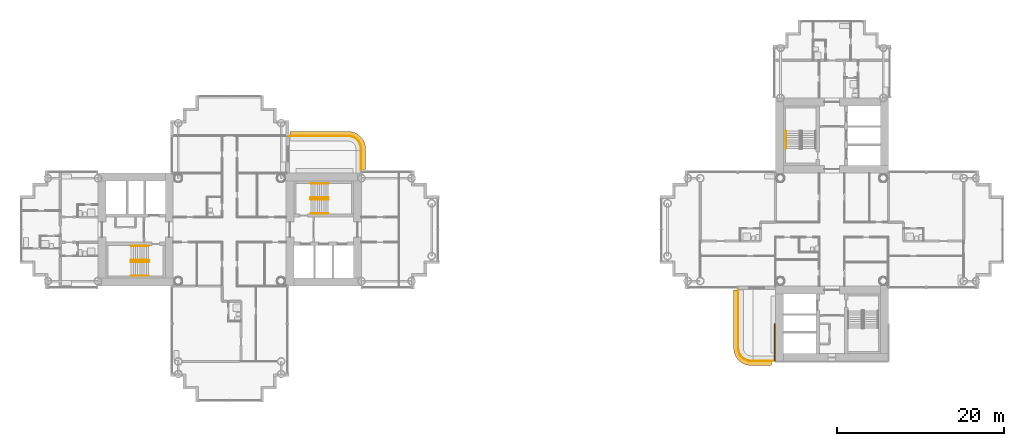
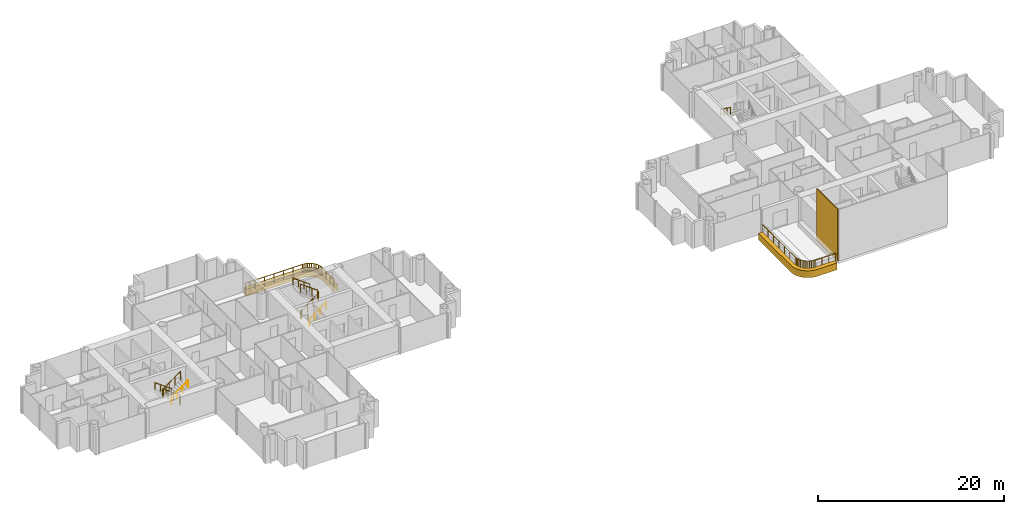
# One storey, part 19 of 21: 9 railings, 3 coverings.
"""IFC4 building model written with IfcOpenShell, lengths in metres."""

from ifc_helpers import new_model, si_unit, direction, frame, origin, origin_2d, place, context, subcontext, project, spatial, polyline, rectangle, circle, outline, extrude, material, layer, layer_set, type_object, element, save


model = new_model("IFC4")

# Units and contexts
model_context = context("Model", 3, precision=1e-05, world=origin(), true_north=direction((0.0, 1.0)))
body_context = subcontext(model_context, "Body", "Model", "MODEL_VIEW")
ifc_project = project(units=[si_unit("LENGTHUNIT", "METRE"), si_unit("AREAUNIT", "SQUARE_METRE"), si_unit("VOLUMEUNIT", "CUBIC_METRE"), si_unit("PLANEANGLEUNIT", "RADIAN"), si_unit("MASSUNIT", "GRAM", prefix="KILO")], contexts=[model_context])

# Site, building, storey
site_placement = place(None, origin())
site = spatial("IfcSite", under=ifc_project, at=site_placement, CompositionType="ELEMENT")
building_placement = place(site_placement, origin())
building = spatial("IfcBuilding", under=site, at=building_placement, Name="Ipe Terrace Towers", CompositionType="ELEMENT")
storey_placement = place(building_placement, frame((0.0, 0.0, 83.39990234375)))
storey = spatial("IfcBuildingStorey", under=building, at=storey_placement, Name="L22", CompositionType="ELEMENT", Elevation=83.39990234375)

# Railings
ifc_material_1 = material(Name="Stainless steel S316", Category="steel")
railing_type_1 = type_object("IfcRailingType", Name="GUARD 1100", PredefinedType="BALUSTRADE", material=ifc_material_1)
railing_1_placement = place(storey_placement, frame((-20.300048828125, 7.070068359375, -0.02001953125)))
element("IfcRailing", 1, at=railing_1_placement, inside=storey, type_object=railing_type_1, Name="guard", PredefinedType="BALUSTRADE", context=body_context, shape_type="SweptSolid", body=[
    extrude(circle(Radius=0.02392578125, at=origin_2d()), frame((0.0, 0.0, 1.076171875), z_axis=(0.0, 1.0, 0.0), x_axis=(-1.0, 0.0, 0.0)), (0.0, 0.0, 1.0), 2.577880859375),
    extrude(circle(Radius=0.02392578125, at=origin_2d()), frame((0.0, 2.577880859375, 1.076171875), z_axis=(-0.063270109204, 0.997996439513, 0.0), x_axis=(-0.997996439513, -0.063270109204, 0.0)), (0.0, 0.0, 1.0), 0.20458984375),
    extrude(circle(Radius=0.02392578125, at=origin_2d()), frame((-0.012939453125, 2.781982421875, 1.076171875), z_axis=(-0.197272615832, 0.980348670139, 0.0), x_axis=(-0.980348670139, -0.197272615832, 0.0)), (0.0, 0.0, 1.0), 0.202880859375),
    extrude(circle(Radius=0.02392578125, at=origin_2d()), frame((-0.052978515625, 2.98095703125, 1.076171875), z_axis=(-0.320562904618, 0.947227229435, 0.0), x_axis=(-0.947227229435, -0.320562904618, 0.0)), (0.0, 0.0, 1.0), 0.20263671875),
    extrude(circle(Radius=0.02392578125, at=origin_2d()), frame((-0.117919921875, 3.1728515625, 1.076171875), z_axis=(-0.443364567466, 0.896341374877, 0.0), x_axis=(-0.896341374877, -0.443364567466, 0.0)), (0.0, 0.0, 1.0), 0.203125),
    extrude(circle(Radius=0.02392578125, at=origin_2d()), frame((-0.2080078125, 3.35498046875, 1.076171875), z_axis=(-0.552753344103, 0.833344910936, 0.0), x_axis=(-0.833344910936, -0.552753344103, 0.0)), (0.0, 0.0, 1.0), 0.20263671875),
    extrude(circle(Radius=0.02392578125, at=origin_2d()), frame((-0.320068359375, 3.52392578125, 1.076171875), z_axis=(-0.660464863827, 0.750856952854, 0.0), x_axis=(-0.750856952854, -0.660464863827, 0.0)), (0.0, 0.0, 1.0), 0.20263671875),
    extrude(circle(Radius=0.02392578125, at=origin_2d()), frame((-0.453857421875, 3.676025390625, 1.076171875), z_axis=(-0.750856952854, 0.660464863827, 0.0), x_axis=(-0.660464863827, -0.750856952854, 0.0)), (0.0, 0.0, 1.0), 0.20263671875),
    extrude(circle(Radius=0.02392578125, at=origin_2d()), frame((-0.60595703125, 3.809814453125, 1.076171875), z_axis=(-0.833344910936, 0.552753344103, 0.0), x_axis=(-0.552753344103, -0.833344910936, 0.0)), (0.0, 0.0, 1.0), 0.20263671875),
    extrude(circle(Radius=0.02392578125, at=origin_2d()), frame((-0.77490234375, 3.921875, 1.076171875), z_axis=(-0.896341374877, 0.443364567466, 0.0), x_axis=(-0.443364567466, -0.896341374877, 0.0)), (0.0, 0.0, 1.0), 0.203125),
    extrude(circle(Radius=0.02392578125, at=origin_2d()), frame((-0.95703125, 4.011962890625, 1.076171875), z_axis=(-0.947227229435, 0.320562904618, 0.0), x_axis=(-0.320562904618, -0.947227229435, 0.0)), (0.0, 0.0, 1.0), 0.20263671875),
    extrude(circle(Radius=0.02392578125, at=origin_2d()), frame((-1.14892578125, 4.076904296875, 1.076171875), z_axis=(-0.980348670139, 0.197272615832, 0.0), x_axis=(-0.197272615832, -0.980348670139, 0.0)), (0.0, 0.0, 1.0), 0.202880859375),
    extrude(circle(Radius=0.02392578125, at=origin_2d()), frame((-1.347900390625, 4.116943359375, 1.076171875), z_axis=(-0.997996439513, 0.063270109204, 0.0), x_axis=(-0.063270109204, -0.997996439513, 0.0)), (0.0, 0.0, 1.0), 0.20458984375),
    extrude(circle(Radius=0.02392578125, at=origin_2d()), frame((-1.552001953125, 4.1298828125, 1.076171875), z_axis=(-1.0, 0.0, 0.0), x_axis=(0.0, -1.0, 0.0)), (0.0, 0.0, 1.0), 7.077880859375),
    extrude(circle(Radius=0.02099609375, at=origin_2d()), origin(), (0.0, 0.0, 1.0), 1.052001953125),
    extrude(circle(Radius=0.02099609375, at=origin_2d()), frame((0.0, 0.859375, 0.0)), (0.0, 0.0, 1.0), 1.052001953125),
    extrude(circle(Radius=0.02099609375, at=origin_2d()), frame((0.0, 1.718505859375, 0.0)), (0.0, 0.0, 1.0), 1.052001953125),
    extrude(circle(Radius=0.02099609375, at=origin_2d()), frame((0.0, 2.577880859375, 0.0)), (0.0, 0.0, 1.0), 1.052001953125),
    extrude(circle(Radius=0.02099609375, at=origin_2d()), frame((-0.012939453125, 2.781982421875, 0.0)), (0.0, 0.0, 1.0), 1.052001953125),
    extrude(circle(Radius=0.02099609375, at=origin_2d()), frame((-0.052978515625, 2.98095703125, 0.0)), (0.0, 0.0, 1.0), 1.052001953125),
    extrude(circle(Radius=0.02099609375, at=origin_2d()), frame((-0.117919921875, 3.1728515625, 0.0)), (0.0, 0.0, 1.0), 1.052001953125),
    extrude(circle(Radius=0.02099609375, at=origin_2d()), frame((-0.2080078125, 3.35498046875, 0.0)), (0.0, 0.0, 1.0), 1.052001953125),
    extrude(circle(Radius=0.02099609375, at=origin_2d()), frame((-0.320068359375, 3.52392578125, 0.0)), (0.0, 0.0, 1.0), 1.052001953125),
    extrude(circle(Radius=0.02099609375, at=origin_2d()), frame((-0.453857421875, 3.676025390625, 0.0)), (0.0, 0.0, 1.0), 1.052001953125),
    extrude(circle(Radius=0.02099609375, at=origin_2d()), frame((-0.60595703125, 3.809814453125, 0.0)), (0.0, 0.0, 1.0), 1.052001953125),
    extrude(circle(Radius=0.02099609375, at=origin_2d()), frame((-0.77490234375, 3.921875, 0.0)), (0.0, 0.0, 1.0), 1.052001953125),
    extrude(circle(Radius=0.02099609375, at=origin_2d()), frame((-0.95703125, 4.011962890625, 0.0)), (0.0, 0.0, 1.0), 1.052001953125),
    extrude(circle(Radius=0.02099609375, at=origin_2d()), frame((-1.14892578125, 4.076904296875, 0.0)), (0.0, 0.0, 1.0), 1.052001953125),
    extrude(circle(Radius=0.02099609375, at=origin_2d()), frame((-1.347900390625, 4.116943359375, 0.0)), (0.0, 0.0, 1.0), 1.052001953125),
    extrude(circle(Radius=0.02099609375, at=origin_2d()), frame((-1.552001953125, 4.1298828125, 0.0)), (0.0, 0.0, 1.0), 1.052001953125),
    extrude(circle(Radius=0.02099609375, at=origin_2d()), frame((-2.731689453125, 4.1298828125, 0.0)), (0.0, 0.0, 1.0), 1.052001953125),
    extrude(circle(Radius=0.02099609375, at=origin_2d()), frame((-3.911376953125, 4.1298828125, 0.0)), (0.0, 0.0, 1.0), 1.052001953125),
    extrude(circle(Radius=0.02099609375, at=origin_2d()), frame((-5.0908203125, 4.1298828125, 0.0)), (0.0, 0.0, 1.0), 1.052001953125),
    extrude(circle(Radius=0.02099609375, at=origin_2d()), frame((-6.2705078125, 4.1298828125, 0.0)), (0.0, 0.0, 1.0), 1.052001953125),
    extrude(circle(Radius=0.02099609375, at=origin_2d()), frame((-7.4501953125, 4.1298828125, 0.0)), (0.0, 0.0, 1.0), 1.052001953125),
    extrude(circle(Radius=0.02099609375, at=origin_2d()), frame((-8.6298828125, 4.1298828125, 0.0)), (0.0, 0.0, 1.0), 1.052001953125),
])
railing_2_placement = place(storey_placement, frame((24.800048828125, -7.070068359375, -0.02001953125)))
element("IfcRailing", 2, at=railing_2_placement, inside=storey, type_object=railing_type_1, Name="guard", PredefinedType="BALUSTRADE", context=body_context, shape_type="SweptSolid", body=[
    extrude(circle(Radius=0.02392578125, at=origin_2d()), frame((0.0, 0.0, 1.076171875), z_axis=(0.0, -1.0, 0.0), x_axis=(1.0, 0.0, 0.0)), (0.0, 0.0, 1.0), 7.077880859375),
    extrude(circle(Radius=0.02392578125, at=origin_2d()), frame((0.0, -7.077880859375, 1.076171875), z_axis=(0.063270109204, -0.997996439513, 0.0), x_axis=(0.997996439513, 0.063270109204, 0.0)), (0.0, 0.0, 1.0), 0.20458984375),
    extrude(circle(Radius=0.02392578125, at=origin_2d()), frame((0.012939453125, -7.281982421875, 1.076171875), z_axis=(0.197272615832, -0.980348670139, 0.0), x_axis=(0.980348670139, 0.197272615832, 0.0)), (0.0, 0.0, 1.0), 0.202880859375),
    extrude(circle(Radius=0.02392578125, at=origin_2d()), frame((0.052978515625, -7.48095703125, 1.076171875), z_axis=(0.320562904618, -0.947227229435, 0.0), x_axis=(0.947227229435, 0.320562904618, 0.0)), (0.0, 0.0, 1.0), 0.20263671875),
    extrude(circle(Radius=0.02392578125, at=origin_2d()), frame((0.117919921875, -7.6728515625, 1.076171875), z_axis=(0.443364567466, -0.896341374877, 0.0), x_axis=(0.896341374877, 0.443364567466, 0.0)), (0.0, 0.0, 1.0), 0.203125),
    extrude(circle(Radius=0.02392578125, at=origin_2d()), frame((0.2080078125, -7.85498046875, 1.076171875), z_axis=(0.552753344103, -0.833344910936, 0.0), x_axis=(0.833344910936, 0.552753344103, 0.0)), (0.0, 0.0, 1.0), 0.20263671875),
    extrude(circle(Radius=0.02392578125, at=origin_2d()), frame((0.320068359375, -8.02392578125, 1.076171875), z_axis=(0.660464863827, -0.750856952854, 0.0), x_axis=(0.750856952854, 0.660464863827, 0.0)), (0.0, 0.0, 1.0), 0.20263671875),
    extrude(circle(Radius=0.02392578125, at=origin_2d()), frame((0.453857421875, -8.176025390625, 1.076171875), z_axis=(0.750856952854, -0.660464863827, 0.0), x_axis=(0.660464863827, 0.750856952854, 0.0)), (0.0, 0.0, 1.0), 0.20263671875),
    extrude(circle(Radius=0.02392578125, at=origin_2d()), frame((0.60595703125, -8.309814453125, 1.076171875), z_axis=(0.833344910936, -0.552753344103, 0.0), x_axis=(0.552753344103, 0.833344910936, 0.0)), (0.0, 0.0, 1.0), 0.20263671875),
    extrude(circle(Radius=0.02392578125, at=origin_2d()), frame((0.77490234375, -8.421875, 1.076171875), z_axis=(0.896341374877, -0.443364567466, 0.0), x_axis=(0.443364567466, 0.896341374877, 0.0)), (0.0, 0.0, 1.0), 0.203125),
    extrude(circle(Radius=0.02392578125, at=origin_2d()), frame((0.95703125, -8.511962890625, 1.076171875), z_axis=(0.947227229435, -0.320562904618, 0.0), x_axis=(0.320562904618, 0.947227229435, 0.0)), (0.0, 0.0, 1.0), 0.20263671875),
    extrude(circle(Radius=0.02392578125, at=origin_2d()), frame((1.14892578125, -8.576904296875, 1.076171875), z_axis=(0.980348670139, -0.197272615832, 0.0), x_axis=(0.197272615832, 0.980348670139, 0.0)), (0.0, 0.0, 1.0), 0.202880859375),
    extrude(circle(Radius=0.02392578125, at=origin_2d()), frame((1.347900390625, -8.616943359375, 1.076171875), z_axis=(0.997996439513, -0.063270109204, 0.0), x_axis=(0.063270109204, 0.997996439513, 0.0)), (0.0, 0.0, 1.0), 0.20458984375),
    extrude(circle(Radius=0.02392578125, at=origin_2d()), frame((1.552001953125, -8.6298828125, 1.076171875), z_axis=(1.0, 0.0, 0.0), x_axis=(0.0, 1.0, 0.0)), (0.0, 0.0, 1.0), 2.577880859375),
    extrude(circle(Radius=0.02099609375, at=origin_2d()), origin(), (0.0, 0.0, 1.0), 1.052001953125),
    extrude(circle(Radius=0.02099609375, at=origin_2d()), frame((0.0, -1.1796875, 0.0)), (0.0, 0.0, 1.0), 1.052001953125),
    extrude(circle(Radius=0.02099609375, at=origin_2d()), frame((0.0, -2.359375, 0.0)), (0.0, 0.0, 1.0), 1.052001953125),
    extrude(circle(Radius=0.02099609375, at=origin_2d()), frame((0.0, -3.5390625, 0.0)), (0.0, 0.0, 1.0), 1.052001953125),
    extrude(circle(Radius=0.02099609375, at=origin_2d()), frame((0.0, -4.718505859375, 0.0)), (0.0, 0.0, 1.0), 1.052001953125),
    extrude(circle(Radius=0.02099609375, at=origin_2d()), frame((0.0, -5.898193359375, 0.0)), (0.0, 0.0, 1.0), 1.052001953125),
    extrude(circle(Radius=0.02099609375, at=origin_2d()), frame((0.0, -7.077880859375, 0.0)), (0.0, 0.0, 1.0), 1.052001953125),
    extrude(circle(Radius=0.02099609375, at=origin_2d()), frame((0.012939453125, -7.281982421875, 0.0)), (0.0, 0.0, 1.0), 1.052001953125),
    extrude(circle(Radius=0.02099609375, at=origin_2d()), frame((0.052978515625, -7.48095703125, 0.0)), (0.0, 0.0, 1.0), 1.052001953125),
    extrude(circle(Radius=0.02099609375, at=origin_2d()), frame((0.117919921875, -7.6728515625, 0.0)), (0.0, 0.0, 1.0), 1.052001953125),
    extrude(circle(Radius=0.02099609375, at=origin_2d()), frame((0.2080078125, -7.85498046875, 0.0)), (0.0, 0.0, 1.0), 1.052001953125),
    extrude(circle(Radius=0.02099609375, at=origin_2d()), frame((0.320068359375, -8.02392578125, 0.0)), (0.0, 0.0, 1.0), 1.052001953125),
    extrude(circle(Radius=0.02099609375, at=origin_2d()), frame((0.453857421875, -8.176025390625, 0.0)), (0.0, 0.0, 1.0), 1.052001953125),
    extrude(circle(Radius=0.02099609375, at=origin_2d()), frame((0.60595703125, -8.309814453125, 0.0)), (0.0, 0.0, 1.0), 1.052001953125),
    extrude(circle(Radius=0.02099609375, at=origin_2d()), frame((0.77490234375, -8.421875, 0.0)), (0.0, 0.0, 1.0), 1.052001953125),
    extrude(circle(Radius=0.02099609375, at=origin_2d()), frame((0.95703125, -8.511962890625, 0.0)), (0.0, 0.0, 1.0), 1.052001953125),
    extrude(circle(Radius=0.02099609375, at=origin_2d()), frame((1.14892578125, -8.576904296875, 0.0)), (0.0, 0.0, 1.0), 1.052001953125),
    extrude(circle(Radius=0.02099609375, at=origin_2d()), frame((1.347900390625, -8.616943359375, 0.0)), (0.0, 0.0, 1.0), 1.052001953125),
    extrude(circle(Radius=0.02099609375, at=origin_2d()), frame((1.552001953125, -8.6298828125, 0.0)), (0.0, 0.0, 1.0), 1.052001953125),
    extrude(circle(Radius=0.02099609375, at=origin_2d()), frame((2.411376953125, -8.6298828125, 0.0)), (0.0, 0.0, 1.0), 1.052001953125),
    extrude(circle(Radius=0.02099609375, at=origin_2d()), frame((3.2705078125, -8.6298828125, 0.0)), (0.0, 0.0, 1.0), 1.052001953125),
    extrude(circle(Radius=0.02099609375, at=origin_2d()), frame((4.1298828125, -8.6298828125, 0.0)), (0.0, 0.0, 1.0), 1.052001953125),
])

# Coverings
ifc_material_2 = material(Name="Concrete C50/60 precast, buff finish", Category="concrete")
ifc_layer_1 = layer(ifc_material_2, 0.1201171875)
ifc_layer_set_1 = layer_set([ifc_layer_1], Name="STONE CORE CLADDING 120")
covering_type_1 = type_object("IfcCoveringType", Name="STONE CORE CLADDING 120", PredefinedType="CLADDING", material=ifc_layer_set_1)
covering_1_placement = place(storey_placement, frame((29.18994140625, -13.5, 0.0), z_axis=(0.0, 0.0, 1.0), x_axis=(0.0, -1.0, 0.0)))
element("IfcCovering", 3, at=covering_1_placement, inside=storey, type_object=covering_type_1, Name="stone core cladding", PredefinedType="CLADDING", context=body_context, shape_type="SweptSolid", body=[
    extrude(rectangle(XDim=4.5, YDim=0.1201171875, at=origin_2d()), origin(), (0.0, 0.0, 1.0), 6.800048828125),
])
ifc_material_3 = material(Name="Concrete C50/60 precast, buff finish", Category="concrete")
ifc_layer_2 = layer(ifc_material_3, 0.5)
ifc_layer_set_2 = layer_set([ifc_layer_2], Name="STONE EDGE BAND 500 x 900")
covering_type_2 = type_object("IfcCoveringType", Name="STONE EDGE BAND 500 x 900", PredefinedType="CLADDING", material=ifc_layer_set_2)
covering_2_placement = place(storey_placement, frame((0.0, 0.0, -0.719970703125)))
element("IfcCovering", 4, at=covering_2_placement, inside=storey, type_object=covering_type_2, Name="stone edge band", PredefinedType="CLADDING", context=body_context, shape_type="SweptSolid", body=[
    extrude(outline(polyline([(-21.85009765625, 11.75), (-28.800048828125, 11.75), (-28.800048828125, 11.25), (-21.85009765625, 11.25), (-21.64111328125, 11.236083984375), (-21.43603515625, 11.195068359375), (-21.238037109375, 11.1279296875), (-21.050048828125, 11.035888671875), (-20.8759765625, 10.9189453125), (-20.718994140625, 10.781005859375), (-20.5810546875, 10.6240234375), (-20.464111328125, 10.449951171875), (-20.3720703125, 10.261962890625), (-20.304931640625, 10.06396484375), (-20.263916015625, 9.85888671875), (-20.25, 9.64990234375), (-20.25, 7.199951171875), (-19.75, 7.199951171875), (-19.75, 9.64990234375), (-19.7509765625, 9.68310546875), (-19.764892578125, 9.89208984375), (-19.77294921875, 9.9560546875), (-19.81396484375, 10.162109375), (-19.8310546875, 10.22509765625), (-19.89794921875, 10.423095703125), (-19.923095703125, 10.48291015625), (-20.01611328125, 10.6708984375), (-20.049072265625, 10.72802734375), (-20.1650390625, 10.902099609375), (-20.205078125, 10.9541015625), (-20.343017578125, 11.111083984375), (-20.388916015625, 11.156982421875), (-20.5458984375, 11.294921875), (-20.597900390625, 11.3349609375), (-20.77197265625, 11.450927734375), (-20.8291015625, 11.48388671875), (-21.01708984375, 11.576904296875), (-21.076904296875, 11.60205078125), (-21.27490234375, 11.6689453125), (-21.337890625, 11.68603515625), (-21.5439453125, 11.72705078125), (-21.60791015625, 11.735107421875), (-21.81689453125, 11.7490234375), (-21.85009765625, 11.75)])), origin(), (0.0, 0.0, 1.0), 0.900146484375),
])
covering_3_placement = place(storey_placement, frame((0.0, 0.0, -0.719970703125)))
element("IfcCovering", 5, at=covering_3_placement, inside=storey, type_object=covering_type_2, Name="stone edge band", PredefinedType="CLADDING", context=body_context, shape_type="SweptSolid", body=[
    extrude(outline(polyline([(24.25, -14.14990234375), (24.2509765625, -14.18310546875), (24.264892578125, -14.39208984375), (24.27294921875, -14.4560546875), (24.31396484375, -14.662109375), (24.3310546875, -14.72509765625), (24.39794921875, -14.923095703125), (24.423095703125, -14.98291015625), (24.51611328125, -15.1708984375), (24.549072265625, -15.22802734375), (24.6650390625, -15.402099609375), (24.705078125, -15.4541015625), (24.843017578125, -15.611083984375), (24.888916015625, -15.656982421875), (25.0458984375, -15.794921875), (25.097900390625, -15.8349609375), (25.27197265625, -15.950927734375), (25.3291015625, -15.98388671875), (25.51708984375, -16.076904296875), (25.576904296875, -16.10205078125), (25.77490234375, -16.1689453125), (25.837890625, -16.18603515625), (26.0439453125, -16.22705078125), (26.10791015625, -16.235107421875), (26.31689453125, -16.2490234375), (26.35009765625, -16.25), (28.800048828125, -16.25), (28.800048828125, -15.75), (26.35009765625, -15.75), (26.14111328125, -15.736083984375), (25.93603515625, -15.695068359375), (25.738037109375, -15.6279296875), (25.550048828125, -15.535888671875), (25.3759765625, -15.4189453125), (25.218994140625, -15.281005859375), (25.0810546875, -15.1240234375), (24.964111328125, -14.949951171875), (24.8720703125, -14.761962890625), (24.804931640625, -14.56396484375), (24.763916015625, -14.35888671875), (24.75, -14.14990234375), (24.75, -7.199951171875), (24.25, -7.199951171875), (24.25, -14.14990234375)])), origin(), (0.0, 0.0, 1.0), 0.900146484375),
])

# Railings
ifc_material_4 = material(Name="Steel S355", Category="steel")
railing_type_2 = type_object("IfcRailingType", Name="Stair guard 1100", PredefinedType="GUARDRAIL", material=ifc_material_4)
railing_3_placement = place(storey_placement, frame((-26.35009765625, 3.800048828125, 0.0)))
element("IfcRailing", 6, at=railing_3_placement, inside=storey, type_object=railing_type_2, Name="L22 T1-ST1 stair guard 1", PredefinedType="GUARDRAIL", context=body_context, shape_type="SweptSolid", body=[
    extrude(circle(Radius=0.02392578125, at=origin_2d()), frame((0.0, 0.0, 1.076171875), z_axis=(0.0, -1.0, 0.0), x_axis=(1.0, 0.0, 0.0)), (0.0, 0.0, 1.0), 0.150146484375),
    extrude(circle(Radius=0.02392578125, at=origin_2d()), frame((0.0, -0.150146484375, 1.076171875), z_axis=(0.248103849378, -0.246893586699, 0.936743314239), x_axis=(0.705375805398, 0.708833529934, 0.0)), (0.0, 0.0, 1.0), 0.20166015625),
    extrude(circle(Radius=0.02392578125, at=origin_2d()), frame((0.050048828125, -0.199951171875, 1.26513671875), z_axis=(0.809023421508, 0.0, 0.587776406001), x_axis=(0.0, 1.0, 0.0)), (0.0, 0.0, 1.0), 2.571044921875),
    extrude(circle(Radius=0.02392578125, at=origin_2d()), frame((2.130126953125, -0.199951171875, 2.7763671875), z_axis=(0.708833529934, 0.705375805398, 0.0), x_axis=(-0.705375805398, 0.708833529934, 0.0)), (0.0, 0.0, 1.0), 0.070556640625),
    extrude(circle(Radius=0.02392578125, at=origin_2d()), frame((2.18017578125, -0.150146484375, 2.7763671875), z_axis=(0.0, 1.0, 0.0), x_axis=(-1.0, 0.0, 0.0)), (0.0, 0.0, 1.0), 0.150146484375),
    extrude(circle(Radius=0.02392578125, at=origin_2d()), frame((2.18017578125, 0.0, 2.7763671875), z_axis=(-0.248310886586, 0.248310886586, 0.936313733321), x_axis=(-0.707106781187, -0.707106781187, 0.0)), (0.0, 0.0, 1.0), 0.20166015625),
    extrude(circle(Radius=0.02392578125, at=origin_2d()), frame((2.130126953125, 0.050048828125, 2.96484375), z_axis=(-0.809023421508, 0.0, 0.587776406001), x_axis=(0.0, -1.0, 0.0)), (0.0, 0.0, 1.0), 2.571044921875),
    extrude(circle(Radius=0.02099609375, at=origin_2d()), origin(), (0.0, 0.0, 1.0), 1.052001953125),
    extrude(circle(Radius=0.02099609375, at=origin_2d()), frame((0.0, -0.150146484375, 0.0)), (0.0, 0.0, 1.0), 1.052001953125),
    extrude(circle(Radius=0.02099609375, at=origin_2d()), frame((0.050048828125, -0.199951171875, 0.18896484375)), (0.0, 0.0, 1.0), 1.052001953125),
    extrude(circle(Radius=0.02099609375, at=origin_2d()), frame((0.743408203125, -0.199951171875, 0.692626953125)), (0.0, 0.0, 1.0), 1.052001953125),
    extrude(circle(Radius=0.02099609375, at=origin_2d()), frame((1.436767578125, -0.199951171875, 1.196533203125)), (0.0, 0.0, 1.0), 1.052001953125),
    extrude(circle(Radius=0.02099609375, at=origin_2d()), frame((2.130126953125, -0.199951171875, 1.7001953125)), (0.0, 0.0, 1.0), 1.052001953125),
    extrude(circle(Radius=0.02099609375, at=origin_2d()), frame((2.18017578125, -0.150146484375, 1.7001953125)), (0.0, 0.0, 1.0), 1.052001953125),
    extrude(circle(Radius=0.02099609375, at=origin_2d()), frame((2.18017578125, 0.0, 1.7001953125)), (0.0, 0.0, 1.0), 1.052001953125),
    extrude(circle(Radius=0.02099609375, at=origin_2d()), frame((2.130126953125, 0.050048828125, 1.888916015625)), (0.0, 0.0, 1.0), 1.052001953125),
    extrude(circle(Radius=0.02099609375, at=origin_2d()), frame((1.436767578125, 0.050048828125, 2.392578125)), (0.0, 0.0, 1.0), 1.052001953125),
    extrude(circle(Radius=0.02099609375, at=origin_2d()), frame((0.743408203125, 0.050048828125, 2.896484375)), (0.0, 0.0, 1.0), 1.052001953125),
    extrude(circle(Radius=0.02099609375, at=origin_2d()), frame((0.050048828125, 0.050048828125, 3.400146484375)), (0.0, 0.0, 1.0), 1.052001953125),
])
railing_4_placement = place(storey_placement, frame((-45.64990234375, -3.800048828125, 0.0)))
element("IfcRailing", 7, at=railing_4_placement, inside=storey, type_object=railing_type_2, Name="L22 T1-ST2 stair guard 1", PredefinedType="GUARDRAIL", context=body_context, shape_type="SweptSolid", body=[
    extrude(circle(Radius=0.02392578125, at=origin_2d()), frame((0.0, 0.0, 1.076171875), z_axis=(0.0, 1.0, 0.0), x_axis=(-1.0, 0.0, 0.0)), (0.0, 0.0, 1.0), 0.150146484375),
    extrude(circle(Radius=0.02392578125, at=origin_2d()), frame((0.0, 0.150146484375, 1.076171875), z_axis=(-0.248103849378, 0.246893586699, 0.936743314239), x_axis=(-0.705375805398, -0.708833529934, 0.0)), (0.0, 0.0, 1.0), 0.20166015625),
    extrude(circle(Radius=0.02392578125, at=origin_2d()), frame((-0.050048828125, 0.199951171875, 1.26513671875), z_axis=(-0.809023421508, 0.0, 0.587776406001), x_axis=(0.0, -1.0, 0.0)), (0.0, 0.0, 1.0), 2.571044921875),
    extrude(circle(Radius=0.02392578125, at=origin_2d()), frame((-2.130126953125, 0.199951171875, 2.7763671875), z_axis=(-0.708833529934, -0.705375805398, 0.0), x_axis=(0.705375805398, -0.708833529934, 0.0)), (0.0, 0.0, 1.0), 0.070556640625),
    extrude(circle(Radius=0.02392578125, at=origin_2d()), frame((-2.18017578125, 0.150146484375, 2.7763671875), z_axis=(0.0, -1.0, 0.0), x_axis=(1.0, 0.0, 0.0)), (0.0, 0.0, 1.0), 0.150146484375),
    extrude(circle(Radius=0.02392578125, at=origin_2d()), frame((-2.18017578125, 0.0, 2.7763671875), z_axis=(0.248310886586, -0.248310886586, 0.936313733321), x_axis=(0.707106781187, 0.707106781187, 0.0)), (0.0, 0.0, 1.0), 0.20166015625),
    extrude(circle(Radius=0.02392578125, at=origin_2d()), frame((-2.130126953125, -0.050048828125, 2.96484375), z_axis=(0.809023421508, 0.0, 0.587776406001), x_axis=(0.0, 1.0, 0.0)), (0.0, 0.0, 1.0), 2.571044921875),
    extrude(circle(Radius=0.02099609375, at=origin_2d()), origin(), (0.0, 0.0, 1.0), 1.052001953125),
    extrude(circle(Radius=0.02099609375, at=origin_2d()), frame((0.0, 0.150146484375, 0.0)), (0.0, 0.0, 1.0), 1.052001953125),
    extrude(circle(Radius=0.02099609375, at=origin_2d()), frame((-0.050048828125, 0.199951171875, 0.18896484375)), (0.0, 0.0, 1.0), 1.052001953125),
    extrude(circle(Radius=0.02099609375, at=origin_2d()), frame((-0.743408203125, 0.199951171875, 0.692626953125)), (0.0, 0.0, 1.0), 1.052001953125),
    extrude(circle(Radius=0.02099609375, at=origin_2d()), frame((-1.436767578125, 0.199951171875, 1.196533203125)), (0.0, 0.0, 1.0), 1.052001953125),
    extrude(circle(Radius=0.02099609375, at=origin_2d()), frame((-2.130126953125, 0.199951171875, 1.7001953125)), (0.0, 0.0, 1.0), 1.052001953125),
    extrude(circle(Radius=0.02099609375, at=origin_2d()), frame((-2.18017578125, 0.150146484375, 1.7001953125)), (0.0, 0.0, 1.0), 1.052001953125),
    extrude(circle(Radius=0.02099609375, at=origin_2d()), frame((-2.18017578125, 0.0, 1.7001953125)), (0.0, 0.0, 1.0), 1.052001953125),
    extrude(circle(Radius=0.02099609375, at=origin_2d()), frame((-2.130126953125, -0.050048828125, 1.888916015625)), (0.0, 0.0, 1.0), 1.052001953125),
    extrude(circle(Radius=0.02099609375, at=origin_2d()), frame((-1.436767578125, -0.050048828125, 2.392578125)), (0.0, 0.0, 1.0), 1.052001953125),
    extrude(circle(Radius=0.02099609375, at=origin_2d()), frame((-0.743408203125, -0.050048828125, 2.896484375)), (0.0, 0.0, 1.0), 1.052001953125),
    extrude(circle(Radius=0.02099609375, at=origin_2d()), frame((-0.050048828125, -0.050048828125, 3.400146484375)), (0.0, 0.0, 1.0), 1.052001953125),
])
ifc_material_5 = material(Name="Stainless steel grade 304", Category="steel")
railing_type_3 = type_object("IfcRailingType", Name="Stair handrail 900", PredefinedType="HANDRAIL", material=ifc_material_5)
railing_5_placement = place(storey_placement, frame((-26.300048828125, 1.949951171875, 0.18896484375)))
element("IfcRailing", 8, at=railing_5_placement, inside=storey, type_object=railing_type_3, Name="L22 T1-ST1 stair handrail 1", PredefinedType="HANDRAIL", context=body_context, shape_type="SweptSolid", body=[
    extrude(circle(Radius=0.02392578125, at=origin_2d()), frame((0.0, 0.0, 0.8759765625), z_axis=(0.809023421508, 0.0, 0.587776406001), x_axis=(0.0, 1.0, 0.0)), (0.0, 0.0, 1.0), 2.571044921875),
    extrude(circle(Radius=0.02099609375, at=origin_2d()), origin(), (0.0, 0.0, 1.0), 0.851806640625),
    extrude(circle(Radius=0.02099609375, at=origin_2d()), frame((0.693359375, 0.0, 0.503662109375)), (0.0, 0.0, 1.0), 0.851806640625),
    extrude(circle(Radius=0.02099609375, at=origin_2d()), frame((1.38671875, 0.0, 1.007568359375)), (0.0, 0.0, 1.0), 0.851806640625),
    extrude(circle(Radius=0.02099609375, at=origin_2d()), frame((2.080078125, 0.0, 1.51123046875)), (0.0, 0.0, 1.0), 0.851806640625),
])
for number, where, name in (
    (9, (-24.219970703125, 5.5, 1.888916015625), "L22 T1-ST1 stair handrail 2"),
    (10, (-45.699951171875, -1.949951171875, 0.18896484375), "L22 T1-ST2 stair handrail 1"),
):
    element("IfcRailing", number, at=place(storey_placement, frame(where)), inside=storey, type_object=railing_type_3, Name=name, PredefinedType="HANDRAIL", context=body_context, shape_type="SweptSolid", body=[
        extrude(circle(Radius=0.02392578125, at=origin_2d()), frame((0.0, 0.0, 0.8759765625), z_axis=(-0.809023421508, 0.0, 0.587776406001), x_axis=(0.0, -1.0, 0.0)), (0.0, 0.0, 1.0), 2.571044921875),
        extrude(circle(Radius=0.02099609375, at=origin_2d()), origin(), (0.0, 0.0, 1.0), 0.851806640625),
        extrude(circle(Radius=0.02099609375, at=origin_2d()), frame((-0.693359375, 0.0, 0.503662109375)), (0.0, 0.0, 1.0), 0.851806640625),
        extrude(circle(Radius=0.02099609375, at=origin_2d()), frame((-1.38671875, 0.0, 1.007568359375)), (0.0, 0.0, 1.0), 0.851806640625),
        extrude(circle(Radius=0.02099609375, at=origin_2d()), frame((-2.080078125, 0.0, 1.51123046875)), (0.0, 0.0, 1.0), 0.851806640625),
    ])
railing_6_placement = place(storey_placement, frame((-47.780029296875, -5.5, 1.888916015625)))
element("IfcRailing", 11, at=railing_6_placement, inside=storey, type_object=railing_type_3, Name="L22 T1-ST2 stair handrail 2", PredefinedType="HANDRAIL", context=body_context, shape_type="SweptSolid", body=[
    extrude(circle(Radius=0.02392578125, at=origin_2d()), frame((0.0, 0.0, 0.8759765625), z_axis=(0.809023421508, 0.0, 0.587776406001), x_axis=(0.0, 1.0, 0.0)), (0.0, 0.0, 1.0), 2.571044921875),
    extrude(circle(Radius=0.02099609375, at=origin_2d()), origin(), (0.0, 0.0, 1.0), 0.851806640625),
    extrude(circle(Radius=0.02099609375, at=origin_2d()), frame((0.693359375, 0.0, 0.503662109375)), (0.0, 0.0, 1.0), 0.851806640625),
    extrude(circle(Radius=0.02099609375, at=origin_2d()), frame((1.38671875, 0.0, 1.007568359375)), (0.0, 0.0, 1.0), 0.851806640625),
    extrude(circle(Radius=0.02099609375, at=origin_2d()), frame((2.080078125, 0.0, 1.51123046875)), (0.0, 0.0, 1.0), 0.851806640625),
])
railing_7_placement = place(storey_placement, frame((30.5, 11.780029296875, 1.888916015625)))
element("IfcRailing", 12, at=railing_7_placement, inside=storey, type_object=railing_type_3, Name="L22 T2-ST1 stair handrail 2", PredefinedType="HANDRAIL", context=body_context, shape_type="SweptSolid", body=[
    extrude(circle(Radius=0.02392578125, at=origin_2d()), frame((0.0, 0.0, 0.8759765625), z_axis=(0.0, -0.809023421508, 0.587776406001), x_axis=(1.0, 0.0, 0.0)), (0.0, 0.0, 1.0), 2.571044921875),
    extrude(circle(Radius=0.02099609375, at=origin_2d()), origin(), (0.0, 0.0, 1.0), 0.851806640625),
    extrude(circle(Radius=0.02099609375, at=origin_2d()), frame((0.0, -0.693359375, 0.503662109375)), (0.0, 0.0, 1.0), 0.851806640625),
    extrude(circle(Radius=0.02099609375, at=origin_2d()), frame((0.0, -1.38671875, 1.007568359375)), (0.0, 0.0, 1.0), 0.851806640625),
    extrude(circle(Radius=0.02099609375, at=origin_2d()), frame((0.0, -2.080078125, 1.51123046875)), (0.0, 0.0, 1.0), 0.851806640625),
])

save(model, "model.ifc")
